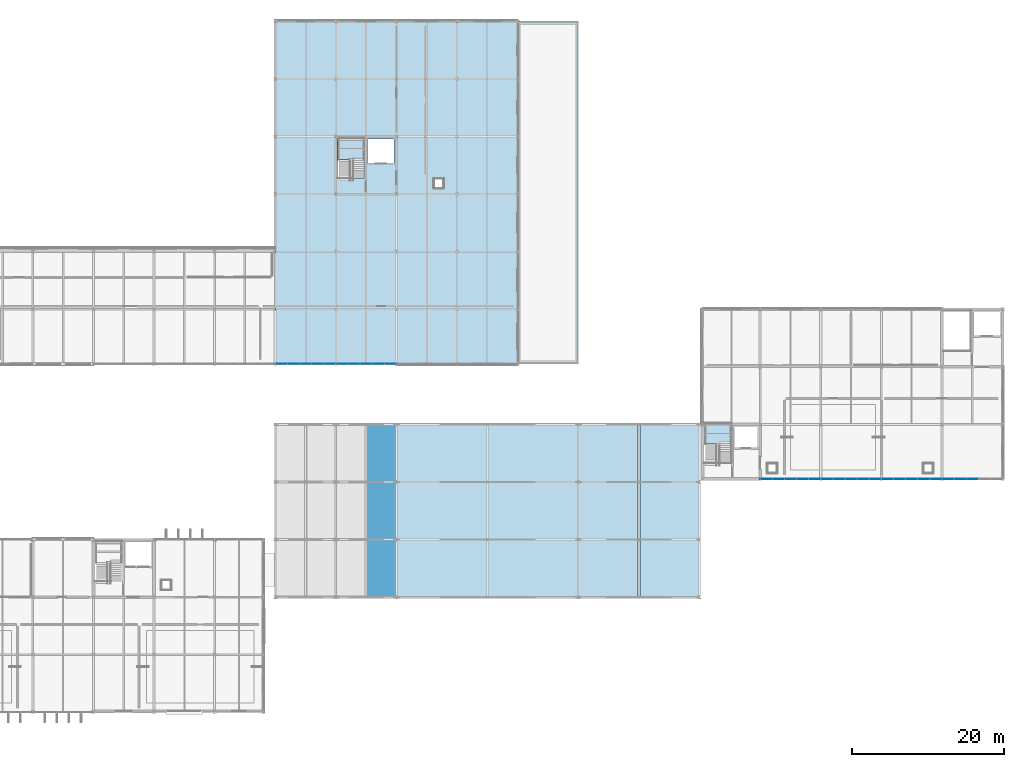
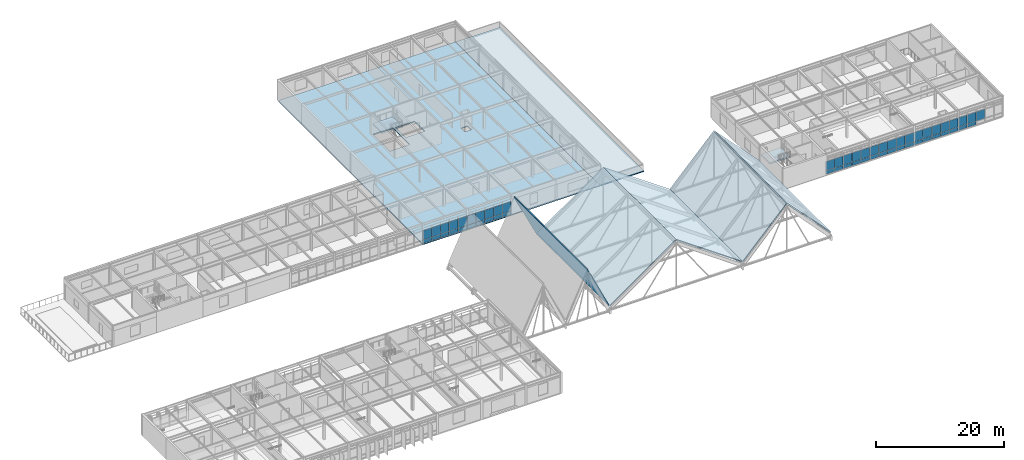
# One storey, part 62 of 85: 55 plates, 9 slabs, 9 elements without a shape of their own.
"""IFC4 building model written with IfcOpenShell, lengths in metres."""

from ifc_helpers import new_model, si_unit, direction, frame, origin, origin_2d, place, context, subcontext, project, spatial, polyline, rectangle, outline, extrude, material, layer, layer_set, type_object, element, aggregate, save


model = new_model("IFC4")

# Units and contexts
model_context = context("Model", 3, precision=1e-05, world=origin(), true_north=direction((0.0, 1.0)))
body_context = subcontext(model_context, "Body", "Model", "MODEL_VIEW")
ifc_project = project(units=[si_unit("LENGTHUNIT", "METRE"), si_unit("AREAUNIT", "SQUARE_METRE"), si_unit("VOLUMEUNIT", "CUBIC_METRE"), si_unit("PLANEANGLEUNIT", "RADIAN"), si_unit("MASSUNIT", "GRAM", prefix="KILO")], contexts=[model_context])

# Site, building, storey
site_placement = place(None, origin())
site = spatial("IfcSite", under=ifc_project, at=site_placement, CompositionType="ELEMENT")
building_placement = place(site_placement, origin())
building = spatial("IfcBuilding", under=site, at=building_placement, Name="Zulena Civic Courthouse", CompositionType="ELEMENT")
storey_placement = place(building_placement, frame((0.0, 0.0, 25.199951171875)))
storey = spatial("IfcBuildingStorey", under=building, at=storey_placement, Name="L05", CompositionType="ELEMENT", Elevation=25.199951171875)

# Curtain wall, plates
ifc_material_1 = material(Name="Double-silver low-E laminated solar-control glass", Category="glass")
curtain_wall_type = type_object("IfcCurtainWallType", Name="CW_7964x3090", PredefinedType="USERDEFINED", material=ifc_material_1)
curtain_wall_1_placement = place(storey_placement, origin())
curtain_wall_1 = element("IfcCurtainWall", 1, at=curtain_wall_1_placement, inside=storey, type_object=curtain_wall_type, Name="cw:V3:L05:3:0", ObjectType="UNITISED CURTAIN WALL", PredefinedType="USERDEFINED")
ifc_material_2 = material(Name="Ceramic-fritted insulated spandrel glass", Category="glass")
ifc_layer_1 = layer(ifc_material_2, 0.0458984375)
ifc_layer_set_1 = layer_set([ifc_layer_1], Name="Ceramic-fritted insulated spandrel glass")
plate_type_1 = type_object("IfcPlateType", Name="CWPanel_Spandrel_46", PredefinedType="CURTAIN_PANEL", material=ifc_layer_set_1)
plate_1_placement = place(storey_placement, frame((158.4072265625, 30.800048828125, 0.070068359375), z_axis=(0.0, 0.0, 1.0), x_axis=(-1.0, 0.0, 0.0)))
plate_1 = element("IfcPlate", 2, at=plate_1_placement, type_object=plate_type_1, Name="cw:V3:L05:3:0:panS:3", PredefinedType="CURTAIN_PANEL", context=body_context, shape_type="SweptSolid", body=[
    extrude(rectangle(XDim=1.54296875, YDim=0.0458984375, at=origin_2d()), origin(), (0.0, 0.0, 1.0), 0.669921875),
])
plate_2_placement = place(storey_placement, frame((156.814453125, 30.800048828125, 0.070068359375), z_axis=(0.0, 0.0, 1.0), x_axis=(-1.0, 0.0, 0.0)))
plate_2 = element("IfcPlate", 3, at=plate_2_placement, type_object=plate_type_1, Name="cw:V3:L05:3:0:panS:4", PredefinedType="CURTAIN_PANEL", context=body_context, shape_type="SweptSolid", body=[
    extrude(rectangle(XDim=1.54296875, YDim=0.0458984375, at=origin_2d()), origin(), (0.0, 0.0, 1.0), 0.669921875),
])

curtain_wall_2_placement = place(storey_placement, origin())
curtain_wall_2 = element("IfcCurtainWall", 4, at=curtain_wall_2_placement, inside=storey, type_object=curtain_wall_type, Name="cw:V3:L05:3:1", ObjectType="UNITISED CURTAIN WALL", PredefinedType="USERDEFINED")
plate_3_placement = place(storey_placement, frame((155.185546875, 30.800048828125, 0.070068359375), z_axis=(0.0, 0.0, 1.0), x_axis=(-1.0, 0.0, 0.0)))
plate_3 = element("IfcPlate", 5, at=plate_3_placement, type_object=plate_type_1, Name="cw:V3:L05:3:1:panS:0", PredefinedType="CURTAIN_PANEL", context=body_context, shape_type="SweptSolid", body=[
    extrude(rectangle(XDim=1.54296875, YDim=0.0458984375, at=origin_2d()), origin(), (0.0, 0.0, 1.0), 0.669921875),
])
plate_4_placement = place(storey_placement, frame((153.5927734375, 30.800048828125, 0.070068359375), z_axis=(0.0, 0.0, 1.0), x_axis=(-1.0, 0.0, 0.0)))
plate_4 = element("IfcPlate", 6, at=plate_4_placement, type_object=plate_type_1, Name="cw:V3:L05:3:1:panS:1", PredefinedType="CURTAIN_PANEL", context=body_context, shape_type="SweptSolid", body=[
    extrude(rectangle(XDim=1.54296875, YDim=0.0458984375, at=origin_2d()), origin(), (0.0, 0.0, 1.0), 0.669921875),
])
plate_5_placement = place(storey_placement, frame((152.0, 30.800048828125, 0.070068359375), z_axis=(0.0, 0.0, 1.0), x_axis=(-1.0, 0.0, 0.0)))
plate_5 = element("IfcPlate", 7, at=plate_5_placement, type_object=plate_type_1, Name="cw:V3:L05:3:1:panS:2", PredefinedType="CURTAIN_PANEL", context=body_context, shape_type="SweptSolid", body=[
    extrude(rectangle(XDim=1.54296875, YDim=0.0458984375, at=origin_2d()), origin(), (0.0, 0.0, 1.0), 0.669921875),
])
plate_6_placement = place(storey_placement, frame((150.4072265625, 30.800048828125, 0.070068359375), z_axis=(0.0, 0.0, 1.0), x_axis=(-1.0, 0.0, 0.0)))
plate_6 = element("IfcPlate", 8, at=plate_6_placement, type_object=plate_type_1, Name="cw:V3:L05:3:1:panS:3", PredefinedType="CURTAIN_PANEL", context=body_context, shape_type="SweptSolid", body=[
    extrude(rectangle(XDim=1.54296875, YDim=0.0458984375, at=origin_2d()), origin(), (0.0, 0.0, 1.0), 0.669921875),
])
plate_7_placement = place(storey_placement, frame((148.814453125, 30.800048828125, 0.070068359375), z_axis=(0.0, 0.0, 1.0), x_axis=(-1.0, 0.0, 0.0)))
plate_7 = element("IfcPlate", 9, at=plate_7_placement, type_object=plate_type_1, Name="cw:V3:L05:3:1:panS:4", PredefinedType="CURTAIN_PANEL", context=body_context, shape_type="SweptSolid", body=[
    extrude(rectangle(XDim=1.54296875, YDim=0.0458984375, at=origin_2d()), origin(), (0.0, 0.0, 1.0), 0.669921875),
])

curtain_wall_3_placement = place(storey_placement, origin())
curtain_wall_3 = element("IfcCurtainWall", 10, at=curtain_wall_3_placement, inside=storey, type_object=curtain_wall_type, Name="cw:V3:L05:3:2", ObjectType="UNITISED CURTAIN WALL", PredefinedType="USERDEFINED")
plate_8_placement = place(storey_placement, frame((147.185546875, 30.800048828125, 0.070068359375), z_axis=(0.0, 0.0, 1.0), x_axis=(-1.0, 0.0, 0.0)))
plate_8 = element("IfcPlate", 11, at=plate_8_placement, type_object=plate_type_1, Name="cw:V3:L05:3:2:panS:0", PredefinedType="CURTAIN_PANEL", context=body_context, shape_type="SweptSolid", body=[
    extrude(rectangle(XDim=1.54296875, YDim=0.0458984375, at=origin_2d()), origin(), (0.0, 0.0, 1.0), 0.669921875),
])
plate_9_placement = place(storey_placement, frame((145.5927734375, 30.800048828125, 0.070068359375), z_axis=(0.0, 0.0, 1.0), x_axis=(-1.0, 0.0, 0.0)))
plate_9 = element("IfcPlate", 12, at=plate_9_placement, type_object=plate_type_1, Name="cw:V3:L05:3:2:panS:1", PredefinedType="CURTAIN_PANEL", context=body_context, shape_type="SweptSolid", body=[
    extrude(rectangle(XDim=1.54296875, YDim=0.0458984375, at=origin_2d()), origin(), (0.0, 0.0, 1.0), 0.669921875),
])
plate_10_placement = place(storey_placement, frame((144.0, 30.800048828125, 0.070068359375), z_axis=(0.0, 0.0, 1.0), x_axis=(-1.0, 0.0, 0.0)))
plate_10 = element("IfcPlate", 13, at=plate_10_placement, type_object=plate_type_1, Name="cw:V3:L05:3:2:panS:2", PredefinedType="CURTAIN_PANEL", context=body_context, shape_type="SweptSolid", body=[
    extrude(rectangle(XDim=1.54296875, YDim=0.0458984375, at=origin_2d()), origin(), (0.0, 0.0, 1.0), 0.669921875),
])
plate_11_placement = place(storey_placement, frame((142.4072265625, 30.800048828125, 0.070068359375), z_axis=(0.0, 0.0, 1.0), x_axis=(-1.0, 0.0, 0.0)))
plate_11 = element("IfcPlate", 14, at=plate_11_placement, type_object=plate_type_1, Name="cw:V3:L05:3:2:panS:3", PredefinedType="CURTAIN_PANEL", context=body_context, shape_type="SweptSolid", body=[
    extrude(rectangle(XDim=1.54296875, YDim=0.0458984375, at=origin_2d()), origin(), (0.0, 0.0, 1.0), 0.669921875),
])
plate_12_placement = place(storey_placement, frame((140.814453125, 30.800048828125, 0.070068359375), z_axis=(0.0, 0.0, 1.0), x_axis=(-1.0, 0.0, 0.0)))
plate_12 = element("IfcPlate", 15, at=plate_12_placement, type_object=plate_type_1, Name="cw:V3:L05:3:2:panS:4", PredefinedType="CURTAIN_PANEL", context=body_context, shape_type="SweptSolid", body=[
    extrude(rectangle(XDim=1.54296875, YDim=0.0458984375, at=origin_2d()), origin(), (0.0, 0.0, 1.0), 0.669921875),
])

curtain_wall_4_placement = place(storey_placement, origin())
curtain_wall_4 = element("IfcCurtainWall", 16, at=curtain_wall_4_placement, inside=storey, type_object=curtain_wall_type, Name="cw:V3:L05:3:3", ObjectType="UNITISED CURTAIN WALL", PredefinedType="USERDEFINED")
plate_13_placement = place(storey_placement, frame((139.185546875, 30.800048828125, 0.070068359375), z_axis=(0.0, 0.0, 1.0), x_axis=(-1.0, 0.0, 0.0)))
plate_13 = element("IfcPlate", 17, at=plate_13_placement, type_object=plate_type_1, Name="cw:V3:L05:3:3:panS:0", PredefinedType="CURTAIN_PANEL", context=body_context, shape_type="SweptSolid", body=[
    extrude(rectangle(XDim=1.54296875, YDim=0.0458984375, at=origin_2d()), origin(), (0.0, 0.0, 1.0), 0.669921875),
])
plate_14_placement = place(storey_placement, frame((137.5927734375, 30.800048828125, 0.070068359375), z_axis=(0.0, 0.0, 1.0), x_axis=(-1.0, 0.0, 0.0)))
plate_14 = element("IfcPlate", 18, at=plate_14_placement, type_object=plate_type_1, Name="cw:V3:L05:3:3:panS:1", PredefinedType="CURTAIN_PANEL", context=body_context, shape_type="SweptSolid", body=[
    extrude(rectangle(XDim=1.54296875, YDim=0.0458984375, at=origin_2d()), origin(), (0.0, 0.0, 1.0), 0.669921875),
])
plate_15_placement = place(storey_placement, frame((136.0, 30.800048828125, 0.070068359375), z_axis=(0.0, 0.0, 1.0), x_axis=(-1.0, 0.0, 0.0)))
plate_15 = element("IfcPlate", 19, at=plate_15_placement, type_object=plate_type_1, Name="cw:V3:L05:3:3:panS:2", PredefinedType="CURTAIN_PANEL", context=body_context, shape_type="SweptSolid", body=[
    extrude(rectangle(XDim=1.54296875, YDim=0.0458984375, at=origin_2d()), origin(), (0.0, 0.0, 1.0), 0.669921875),
])
plate_16_placement = place(storey_placement, frame((134.4072265625, 30.800048828125, 0.070068359375), z_axis=(0.0, 0.0, 1.0), x_axis=(-1.0, 0.0, 0.0)))
plate_16 = element("IfcPlate", 20, at=plate_16_placement, type_object=plate_type_1, Name="cw:V3:L05:3:3:panS:3", PredefinedType="CURTAIN_PANEL", context=body_context, shape_type="SweptSolid", body=[
    extrude(rectangle(XDim=1.54296875, YDim=0.0458984375, at=origin_2d()), origin(), (0.0, 0.0, 1.0), 0.669921875),
])
plate_17_placement = place(storey_placement, frame((132.814453125, 30.800048828125, 0.070068359375), z_axis=(0.0, 0.0, 1.0), x_axis=(-1.0, 0.0, 0.0)))
plate_17 = element("IfcPlate", 21, at=plate_17_placement, type_object=plate_type_1, Name="cw:V3:L05:3:3:panS:4", PredefinedType="CURTAIN_PANEL", context=body_context, shape_type="SweptSolid", body=[
    extrude(rectangle(XDim=1.54296875, YDim=0.0458984375, at=origin_2d()), origin(), (0.0, 0.0, 1.0), 0.669921875),
])

curtain_wall_5_placement = place(storey_placement, origin())
curtain_wall_5 = element("IfcCurtainWall", 22, at=curtain_wall_5_placement, inside=storey, type_object=curtain_wall_type, Name="cw:V5:L05:5:2", ObjectType="UNITISED CURTAIN WALL", PredefinedType="USERDEFINED")
plate_18_placement = place(storey_placement, frame((83.185546875, 46.0, 0.070068359375), z_axis=(0.0, 0.0, 1.0), x_axis=(-1.0, 0.0, 0.0)))
plate_18 = element("IfcPlate", 23, at=plate_18_placement, type_object=plate_type_1, Name="cw:V5:L05:5:2:panS:0", PredefinedType="CURTAIN_PANEL", context=body_context, shape_type="SweptSolid", body=[
    extrude(rectangle(XDim=1.54296875, YDim=0.0458984375, at=origin_2d()), origin(), (0.0, 0.0, 1.0), 0.669921875),
])
plate_19_placement = place(storey_placement, frame((81.5927734375, 46.0, 0.070068359375), z_axis=(0.0, 0.0, 1.0), x_axis=(-1.0, 0.0, 0.0)))
plate_19 = element("IfcPlate", 24, at=plate_19_placement, type_object=plate_type_1, Name="cw:V5:L05:5:2:panS:1", PredefinedType="CURTAIN_PANEL", context=body_context, shape_type="SweptSolid", body=[
    extrude(rectangle(XDim=1.54296875, YDim=0.0458984375, at=origin_2d()), origin(), (0.0, 0.0, 1.0), 0.669921875),
])
plate_20_placement = place(storey_placement, frame((80.0, 46.0, 0.070068359375), z_axis=(0.0, 0.0, 1.0), x_axis=(-1.0, 0.0, 0.0)))
plate_20 = element("IfcPlate", 25, at=plate_20_placement, type_object=plate_type_1, Name="cw:V5:L05:5:2:panS:2", PredefinedType="CURTAIN_PANEL", context=body_context, shape_type="SweptSolid", body=[
    extrude(rectangle(XDim=1.54296875, YDim=0.0458984375, at=origin_2d()), origin(), (0.0, 0.0, 1.0), 0.669921875),
])
plate_21_placement = place(storey_placement, frame((78.4072265625, 46.0, 0.070068359375), z_axis=(0.0, 0.0, 1.0), x_axis=(-1.0, 0.0, 0.0)))
plate_21 = element("IfcPlate", 26, at=plate_21_placement, type_object=plate_type_1, Name="cw:V5:L05:5:2:panS:3", PredefinedType="CURTAIN_PANEL", context=body_context, shape_type="SweptSolid", body=[
    extrude(rectangle(XDim=1.54296875, YDim=0.0458984375, at=origin_2d()), origin(), (0.0, 0.0, 1.0), 0.669921875),
])
plate_22_placement = place(storey_placement, frame((76.814453125, 46.0, 0.070068359375), z_axis=(0.0, 0.0, 1.0), x_axis=(-1.0, 0.0, 0.0)))
plate_22 = element("IfcPlate", 27, at=plate_22_placement, type_object=plate_type_1, Name="cw:V5:L05:5:2:panS:4", PredefinedType="CURTAIN_PANEL", context=body_context, shape_type="SweptSolid", body=[
    extrude(rectangle(XDim=1.54296875, YDim=0.0458984375, at=origin_2d()), origin(), (0.0, 0.0, 1.0), 0.669921875),
])

curtain_wall_6_placement = place(storey_placement, origin())
curtain_wall_6 = element("IfcCurtainWall", 28, at=curtain_wall_6_placement, inside=storey, type_object=curtain_wall_type, Name="cw:V5:L05:5:3", ObjectType="UNITISED CURTAIN WALL", PredefinedType="USERDEFINED")
plate_23_placement = place(storey_placement, frame((75.185546875, 46.0, 0.070068359375), z_axis=(0.0, 0.0, 1.0), x_axis=(-1.0, 0.0, 0.0)))
plate_23 = element("IfcPlate", 29, at=plate_23_placement, type_object=plate_type_1, Name="cw:V5:L05:5:3:panS:0", PredefinedType="CURTAIN_PANEL", context=body_context, shape_type="SweptSolid", body=[
    extrude(rectangle(XDim=1.54296875, YDim=0.0458984375, at=origin_2d()), origin(), (0.0, 0.0, 1.0), 0.669921875),
])
plate_24_placement = place(storey_placement, frame((73.5927734375, 46.0, 0.070068359375), z_axis=(0.0, 0.0, 1.0), x_axis=(-1.0, 0.0, 0.0)))
plate_24 = element("IfcPlate", 30, at=plate_24_placement, type_object=plate_type_1, Name="cw:V5:L05:5:3:panS:1", PredefinedType="CURTAIN_PANEL", context=body_context, shape_type="SweptSolid", body=[
    extrude(rectangle(XDim=1.54296875, YDim=0.0458984375, at=origin_2d()), origin(), (0.0, 0.0, 1.0), 0.669921875),
])
plate_25_placement = place(storey_placement, frame((72.0, 46.0, 0.070068359375), z_axis=(0.0, 0.0, 1.0), x_axis=(-1.0, 0.0, 0.0)))
plate_25 = element("IfcPlate", 31, at=plate_25_placement, type_object=plate_type_1, Name="cw:V5:L05:5:3:panS:2", PredefinedType="CURTAIN_PANEL", context=body_context, shape_type="SweptSolid", body=[
    extrude(rectangle(XDim=1.54296875, YDim=0.0458984375, at=origin_2d()), origin(), (0.0, 0.0, 1.0), 0.669921875),
])
plate_26_placement = place(storey_placement, frame((70.4072265625, 46.0, 0.070068359375), z_axis=(0.0, 0.0, 1.0), x_axis=(-1.0, 0.0, 0.0)))
plate_26 = element("IfcPlate", 32, at=plate_26_placement, type_object=plate_type_1, Name="cw:V5:L05:5:3:panS:3", PredefinedType="CURTAIN_PANEL", context=body_context, shape_type="SweptSolid", body=[
    extrude(rectangle(XDim=1.54296875, YDim=0.0458984375, at=origin_2d()), origin(), (0.0, 0.0, 1.0), 0.669921875),
])
plate_27_placement = place(storey_placement, frame((68.814453125, 46.0, 0.070068359375), z_axis=(0.0, 0.0, 1.0), x_axis=(-1.0, 0.0, 0.0)))
plate_27 = element("IfcPlate", 33, at=plate_27_placement, type_object=plate_type_1, Name="cw:V5:L05:5:3:panS:4", PredefinedType="CURTAIN_PANEL", context=body_context, shape_type="SweptSolid", body=[
    extrude(rectangle(XDim=1.54296875, YDim=0.0458984375, at=origin_2d()), origin(), (0.0, 0.0, 1.0), 0.669921875),
])

# Plate
ifc_layer_2 = layer(ifc_material_1, 0.035888671875)
ifc_layer_set_2 = layer_set([ifc_layer_2], Name="Double-silver low-E laminated solar-control glass")
plate_type_2 = type_object("IfcPlateType", Name="CWPanel_Vision_36", PredefinedType="CURTAIN_PANEL", material=ifc_layer_set_2)
plate_28_placement = place(storey_placement, frame((160.0, 30.800048828125, 0.760009765625), z_axis=(0.0, 0.0, 1.0), x_axis=(-1.0, 0.0, 0.0)))
plate_28 = element("IfcPlate", 34, at=plate_28_placement, type_object=plate_type_2, Name="cw:V3:L05:3:0:panV:2", PredefinedType="CURTAIN_PANEL", context=body_context, shape_type="SweptSolid", body=[
    extrude(rectangle(XDim=1.54296875, YDim=0.035888671875, at=origin_2d()), origin(), (0.0, 0.0, 1.0), 1.77001953125),
])

plate_29_placement = place(storey_placement, frame((158.4072265625, 30.800048828125, 0.760009765625), z_axis=(0.0, 0.0, 1.0), x_axis=(-1.0, 0.0, 0.0)))
plate_29 = element("IfcPlate", 35, at=plate_29_placement, type_object=plate_type_2, Name="cw:V3:L05:3:0:panV:3", PredefinedType="CURTAIN_PANEL", context=body_context, shape_type="SweptSolid", body=[
    extrude(rectangle(XDim=1.54296875, YDim=0.035888671875, at=origin_2d()), origin(), (0.0, 0.0, 1.0), 1.77001953125),
])

plate_30_placement = place(storey_placement, frame((156.814453125, 30.800048828125, 0.760009765625), z_axis=(0.0, 0.0, 1.0), x_axis=(-1.0, 0.0, 0.0)))
plate_30 = element("IfcPlate", 36, at=plate_30_placement, type_object=plate_type_2, Name="cw:V3:L05:3:0:panV:4", PredefinedType="CURTAIN_PANEL", context=body_context, shape_type="SweptSolid", body=[
    extrude(rectangle(XDim=1.54296875, YDim=0.035888671875, at=origin_2d()), origin(), (0.0, 0.0, 1.0), 1.77001953125),
])

aggregate(curtain_wall_1, [plate_28, plate_29, plate_1, plate_30, plate_2])

plate_31_placement = place(storey_placement, frame((155.185546875, 30.800048828125, 0.760009765625), z_axis=(0.0, 0.0, 1.0), x_axis=(-1.0, 0.0, 0.0)))
plate_31 = element("IfcPlate", 37, at=plate_31_placement, type_object=plate_type_2, Name="cw:V3:L05:3:1:panV:0", PredefinedType="CURTAIN_PANEL", context=body_context, shape_type="SweptSolid", body=[
    extrude(rectangle(XDim=1.54296875, YDim=0.035888671875, at=origin_2d()), origin(), (0.0, 0.0, 1.0), 1.77001953125),
])

plate_32_placement = place(storey_placement, frame((153.5927734375, 30.800048828125, 0.760009765625), z_axis=(0.0, 0.0, 1.0), x_axis=(-1.0, 0.0, 0.0)))
plate_32 = element("IfcPlate", 38, at=plate_32_placement, type_object=plate_type_2, Name="cw:V3:L05:3:1:panV:1", PredefinedType="CURTAIN_PANEL", context=body_context, shape_type="SweptSolid", body=[
    extrude(rectangle(XDim=1.54296875, YDim=0.035888671875, at=origin_2d()), origin(), (0.0, 0.0, 1.0), 1.77001953125),
])

plate_33_placement = place(storey_placement, frame((152.0, 30.800048828125, 0.760009765625), z_axis=(0.0, 0.0, 1.0), x_axis=(-1.0, 0.0, 0.0)))
plate_33 = element("IfcPlate", 39, at=plate_33_placement, type_object=plate_type_2, Name="cw:V3:L05:3:1:panV:2", PredefinedType="CURTAIN_PANEL", context=body_context, shape_type="SweptSolid", body=[
    extrude(rectangle(XDim=1.54296875, YDim=0.035888671875, at=origin_2d()), origin(), (0.0, 0.0, 1.0), 1.77001953125),
])

plate_34_placement = place(storey_placement, frame((150.4072265625, 30.800048828125, 0.760009765625), z_axis=(0.0, 0.0, 1.0), x_axis=(-1.0, 0.0, 0.0)))
plate_34 = element("IfcPlate", 40, at=plate_34_placement, type_object=plate_type_2, Name="cw:V3:L05:3:1:panV:3", PredefinedType="CURTAIN_PANEL", context=body_context, shape_type="SweptSolid", body=[
    extrude(rectangle(XDim=1.54296875, YDim=0.035888671875, at=origin_2d()), origin(), (0.0, 0.0, 1.0), 1.77001953125),
])

plate_35_placement = place(storey_placement, frame((148.814453125, 30.800048828125, 0.760009765625), z_axis=(0.0, 0.0, 1.0), x_axis=(-1.0, 0.0, 0.0)))
plate_35 = element("IfcPlate", 41, at=plate_35_placement, type_object=plate_type_2, Name="cw:V3:L05:3:1:panV:4", PredefinedType="CURTAIN_PANEL", context=body_context, shape_type="SweptSolid", body=[
    extrude(rectangle(XDim=1.54296875, YDim=0.035888671875, at=origin_2d()), origin(), (0.0, 0.0, 1.0), 1.77001953125),
])

aggregate(curtain_wall_2, [plate_31, plate_3, plate_32, plate_4, plate_33, plate_5, plate_34, plate_6, plate_35, plate_7])

plate_36_placement = place(storey_placement, frame((147.185546875, 30.800048828125, 0.760009765625), z_axis=(0.0, 0.0, 1.0), x_axis=(-1.0, 0.0, 0.0)))
plate_36 = element("IfcPlate", 42, at=plate_36_placement, type_object=plate_type_2, Name="cw:V3:L05:3:2:panV:0", PredefinedType="CURTAIN_PANEL", context=body_context, shape_type="SweptSolid", body=[
    extrude(rectangle(XDim=1.54296875, YDim=0.035888671875, at=origin_2d()), origin(), (0.0, 0.0, 1.0), 1.77001953125),
])

plate_37_placement = place(storey_placement, frame((145.5927734375, 30.800048828125, 0.760009765625), z_axis=(0.0, 0.0, 1.0), x_axis=(-1.0, 0.0, 0.0)))
plate_37 = element("IfcPlate", 43, at=plate_37_placement, type_object=plate_type_2, Name="cw:V3:L05:3:2:panV:1", PredefinedType="CURTAIN_PANEL", context=body_context, shape_type="SweptSolid", body=[
    extrude(rectangle(XDim=1.54296875, YDim=0.035888671875, at=origin_2d()), origin(), (0.0, 0.0, 1.0), 1.77001953125),
])

plate_38_placement = place(storey_placement, frame((144.0, 30.800048828125, 0.760009765625), z_axis=(0.0, 0.0, 1.0), x_axis=(-1.0, 0.0, 0.0)))
plate_38 = element("IfcPlate", 44, at=plate_38_placement, type_object=plate_type_2, Name="cw:V3:L05:3:2:panV:2", PredefinedType="CURTAIN_PANEL", context=body_context, shape_type="SweptSolid", body=[
    extrude(rectangle(XDim=1.54296875, YDim=0.035888671875, at=origin_2d()), origin(), (0.0, 0.0, 1.0), 1.77001953125),
])

plate_39_placement = place(storey_placement, frame((142.4072265625, 30.800048828125, 0.760009765625), z_axis=(0.0, 0.0, 1.0), x_axis=(-1.0, 0.0, 0.0)))
plate_39 = element("IfcPlate", 45, at=plate_39_placement, type_object=plate_type_2, Name="cw:V3:L05:3:2:panV:3", PredefinedType="CURTAIN_PANEL", context=body_context, shape_type="SweptSolid", body=[
    extrude(rectangle(XDim=1.54296875, YDim=0.035888671875, at=origin_2d()), origin(), (0.0, 0.0, 1.0), 1.77001953125),
])

plate_40_placement = place(storey_placement, frame((140.814453125, 30.800048828125, 0.760009765625), z_axis=(0.0, 0.0, 1.0), x_axis=(-1.0, 0.0, 0.0)))
plate_40 = element("IfcPlate", 46, at=plate_40_placement, type_object=plate_type_2, Name="cw:V3:L05:3:2:panV:4", PredefinedType="CURTAIN_PANEL", context=body_context, shape_type="SweptSolid", body=[
    extrude(rectangle(XDim=1.54296875, YDim=0.035888671875, at=origin_2d()), origin(), (0.0, 0.0, 1.0), 1.77001953125),
])

aggregate(curtain_wall_3, [plate_36, plate_8, plate_37, plate_9, plate_38, plate_10, plate_39, plate_11, plate_40, plate_12])

plate_41_placement = place(storey_placement, frame((139.185546875, 30.800048828125, 0.760009765625), z_axis=(0.0, 0.0, 1.0), x_axis=(-1.0, 0.0, 0.0)))
plate_41 = element("IfcPlate", 47, at=plate_41_placement, type_object=plate_type_2, Name="cw:V3:L05:3:3:panV:0", PredefinedType="CURTAIN_PANEL", context=body_context, shape_type="SweptSolid", body=[
    extrude(rectangle(XDim=1.54296875, YDim=0.035888671875, at=origin_2d()), origin(), (0.0, 0.0, 1.0), 1.77001953125),
])

plate_42_placement = place(storey_placement, frame((137.5927734375, 30.800048828125, 0.760009765625), z_axis=(0.0, 0.0, 1.0), x_axis=(-1.0, 0.0, 0.0)))
plate_42 = element("IfcPlate", 48, at=plate_42_placement, type_object=plate_type_2, Name="cw:V3:L05:3:3:panV:1", PredefinedType="CURTAIN_PANEL", context=body_context, shape_type="SweptSolid", body=[
    extrude(rectangle(XDim=1.54296875, YDim=0.035888671875, at=origin_2d()), origin(), (0.0, 0.0, 1.0), 1.77001953125),
])

plate_43_placement = place(storey_placement, frame((136.0, 30.800048828125, 0.760009765625), z_axis=(0.0, 0.0, 1.0), x_axis=(-1.0, 0.0, 0.0)))
plate_43 = element("IfcPlate", 49, at=plate_43_placement, type_object=plate_type_2, Name="cw:V3:L05:3:3:panV:2", PredefinedType="CURTAIN_PANEL", context=body_context, shape_type="SweptSolid", body=[
    extrude(rectangle(XDim=1.54296875, YDim=0.035888671875, at=origin_2d()), origin(), (0.0, 0.0, 1.0), 1.77001953125),
])

plate_44_placement = place(storey_placement, frame((134.4072265625, 30.800048828125, 0.760009765625), z_axis=(0.0, 0.0, 1.0), x_axis=(-1.0, 0.0, 0.0)))
plate_44 = element("IfcPlate", 50, at=plate_44_placement, type_object=plate_type_2, Name="cw:V3:L05:3:3:panV:3", PredefinedType="CURTAIN_PANEL", context=body_context, shape_type="SweptSolid", body=[
    extrude(rectangle(XDim=1.54296875, YDim=0.035888671875, at=origin_2d()), origin(), (0.0, 0.0, 1.0), 1.77001953125),
])

plate_45_placement = place(storey_placement, frame((132.814453125, 30.800048828125, 0.760009765625), z_axis=(0.0, 0.0, 1.0), x_axis=(-1.0, 0.0, 0.0)))
plate_45 = element("IfcPlate", 51, at=plate_45_placement, type_object=plate_type_2, Name="cw:V3:L05:3:3:panV:4", PredefinedType="CURTAIN_PANEL", context=body_context, shape_type="SweptSolid", body=[
    extrude(rectangle(XDim=1.54296875, YDim=0.035888671875, at=origin_2d()), origin(), (0.0, 0.0, 1.0), 1.77001953125),
])

aggregate(curtain_wall_4, [plate_41, plate_13, plate_42, plate_14, plate_43, plate_15, plate_44, plate_16, plate_45, plate_17])

plate_46_placement = place(storey_placement, frame((83.185546875, 46.0, 0.760009765625), z_axis=(0.0, 0.0, 1.0), x_axis=(-1.0, 0.0, 0.0)))
plate_46 = element("IfcPlate", 52, at=plate_46_placement, type_object=plate_type_2, Name="cw:V5:L05:5:2:panV:0", PredefinedType="CURTAIN_PANEL", context=body_context, shape_type="SweptSolid", body=[
    extrude(rectangle(XDim=1.54296875, YDim=0.035888671875, at=origin_2d()), origin(), (0.0, 0.0, 1.0), 1.77001953125),
])

plate_47_placement = place(storey_placement, frame((81.5927734375, 46.0, 0.760009765625), z_axis=(0.0, 0.0, 1.0), x_axis=(-1.0, 0.0, 0.0)))
plate_47 = element("IfcPlate", 53, at=plate_47_placement, type_object=plate_type_2, Name="cw:V5:L05:5:2:panV:1", PredefinedType="CURTAIN_PANEL", context=body_context, shape_type="SweptSolid", body=[
    extrude(rectangle(XDim=1.54296875, YDim=0.035888671875, at=origin_2d()), origin(), (0.0, 0.0, 1.0), 1.77001953125),
])

plate_48_placement = place(storey_placement, frame((80.0, 46.0, 0.760009765625), z_axis=(0.0, 0.0, 1.0), x_axis=(-1.0, 0.0, 0.0)))
plate_48 = element("IfcPlate", 54, at=plate_48_placement, type_object=plate_type_2, Name="cw:V5:L05:5:2:panV:2", PredefinedType="CURTAIN_PANEL", context=body_context, shape_type="SweptSolid", body=[
    extrude(rectangle(XDim=1.54296875, YDim=0.035888671875, at=origin_2d()), origin(), (0.0, 0.0, 1.0), 1.77001953125),
])

plate_49_placement = place(storey_placement, frame((78.4072265625, 46.0, 0.760009765625), z_axis=(0.0, 0.0, 1.0), x_axis=(-1.0, 0.0, 0.0)))
plate_49 = element("IfcPlate", 55, at=plate_49_placement, type_object=plate_type_2, Name="cw:V5:L05:5:2:panV:3", PredefinedType="CURTAIN_PANEL", context=body_context, shape_type="SweptSolid", body=[
    extrude(rectangle(XDim=1.54296875, YDim=0.035888671875, at=origin_2d()), origin(), (0.0, 0.0, 1.0), 1.77001953125),
])

plate_50_placement = place(storey_placement, frame((76.814453125, 46.0, 0.760009765625), z_axis=(0.0, 0.0, 1.0), x_axis=(-1.0, 0.0, 0.0)))
plate_50 = element("IfcPlate", 56, at=plate_50_placement, type_object=plate_type_2, Name="cw:V5:L05:5:2:panV:4", PredefinedType="CURTAIN_PANEL", context=body_context, shape_type="SweptSolid", body=[
    extrude(rectangle(XDim=1.54296875, YDim=0.035888671875, at=origin_2d()), origin(), (0.0, 0.0, 1.0), 1.77001953125),
])

aggregate(curtain_wall_5, [plate_46, plate_18, plate_47, plate_19, plate_48, plate_20, plate_49, plate_21, plate_50, plate_22])

plate_51_placement = place(storey_placement, frame((75.185546875, 46.0, 0.760009765625), z_axis=(0.0, 0.0, 1.0), x_axis=(-1.0, 0.0, 0.0)))
plate_51 = element("IfcPlate", 57, at=plate_51_placement, type_object=plate_type_2, Name="cw:V5:L05:5:3:panV:0", PredefinedType="CURTAIN_PANEL", context=body_context, shape_type="SweptSolid", body=[
    extrude(rectangle(XDim=1.54296875, YDim=0.035888671875, at=origin_2d()), origin(), (0.0, 0.0, 1.0), 1.77001953125),
])

plate_52_placement = place(storey_placement, frame((73.5927734375, 46.0, 0.760009765625), z_axis=(0.0, 0.0, 1.0), x_axis=(-1.0, 0.0, 0.0)))
plate_52 = element("IfcPlate", 58, at=plate_52_placement, type_object=plate_type_2, Name="cw:V5:L05:5:3:panV:1", PredefinedType="CURTAIN_PANEL", context=body_context, shape_type="SweptSolid", body=[
    extrude(rectangle(XDim=1.54296875, YDim=0.035888671875, at=origin_2d()), origin(), (0.0, 0.0, 1.0), 1.77001953125),
])

plate_53_placement = place(storey_placement, frame((72.0, 46.0, 0.760009765625), z_axis=(0.0, 0.0, 1.0), x_axis=(-1.0, 0.0, 0.0)))
plate_53 = element("IfcPlate", 59, at=plate_53_placement, type_object=plate_type_2, Name="cw:V5:L05:5:3:panV:2", PredefinedType="CURTAIN_PANEL", context=body_context, shape_type="SweptSolid", body=[
    extrude(rectangle(XDim=1.54296875, YDim=0.035888671875, at=origin_2d()), origin(), (0.0, 0.0, 1.0), 1.77001953125),
])

plate_54_placement = place(storey_placement, frame((70.4072265625, 46.0, 0.760009765625), z_axis=(0.0, 0.0, 1.0), x_axis=(-1.0, 0.0, 0.0)))
plate_54 = element("IfcPlate", 60, at=plate_54_placement, type_object=plate_type_2, Name="cw:V5:L05:5:3:panV:3", PredefinedType="CURTAIN_PANEL", context=body_context, shape_type="SweptSolid", body=[
    extrude(rectangle(XDim=1.54296875, YDim=0.035888671875, at=origin_2d()), origin(), (0.0, 0.0, 1.0), 1.77001953125),
])

plate_55_placement = place(storey_placement, frame((68.814453125, 46.0, 0.760009765625), z_axis=(0.0, 0.0, 1.0), x_axis=(-1.0, 0.0, 0.0)))
plate_55 = element("IfcPlate", 61, at=plate_55_placement, type_object=plate_type_2, Name="cw:V5:L05:5:3:panV:4", PredefinedType="CURTAIN_PANEL", context=body_context, shape_type="SweptSolid", body=[
    extrude(rectangle(XDim=1.54296875, YDim=0.035888671875, at=origin_2d()), origin(), (0.0, 0.0, 1.0), 1.77001953125),
])

aggregate(curtain_wall_6, [plate_51, plate_23, plate_52, plate_24, plate_53, plate_25, plate_54, plate_26, plate_55, plate_27])

# Roof, slab
ifc_material_3 = material(Name="Insulated standing-seam zinc-aluminium roofing", Category="aluminium")
ifc_layer_3 = layer(ifc_material_3, 0.205078125)
ifc_layer_set_3 = layer_set([ifc_layer_3], Name="Insulated standing-seam zinc-aluminium roofing")
roof_type = type_object("IfcRoofType", Name="FlatRoofAssembly", PredefinedType="FLAT_ROOF", material=ifc_layer_set_3)
roof_placement = place(storey_placement, origin())
roof = element("IfcRoof", 62, at=roof_placement, inside=storey, type_object=roof_type, Name="roof:V5:L05", PredefinedType="FLAT_ROOF")
ifc_material_4 = material(Name="Concrete C35/45", Category="concrete")
ifc_layer_4 = layer(ifc_material_4, 0.205078125)
ifc_layer_set_4 = layer_set([ifc_layer_4], Name="Concrete C35/45")
slab_type_1 = type_object("IfcSlabType", Name="FlatRoofSlab_205", PredefinedType="ROOF", material=ifc_layer_set_4)
slab_1_placement = place(storey_placement, frame((0.0, 0.0, -0.204833984375)))
slab_1 = element("IfcSlab", 63, at=slab_1_placement, type_object=slab_type_1, Name="slab:roof:V5_eaststep:L05", PredefinedType="ROOF", context=body_context, shape_type="SweptSolid", body=[
    extrude(outline(polyline([(100.0, 46.0), (108.0, 46.0), (108.0, 91.199951171875), (100.0, 91.199951171875), (100.0, 46.0)])), origin(), (0.0, 0.0, 1.0), 0.204833984375),
])
aggregate(roof, [slab_1])

# Slabs
ifc_layer_5 = layer(ifc_material_4, 0.205078125)
ifc_layer_set_5 = layer_set([ifc_layer_5], Name="Concrete C35/45")
slab_type_2 = type_object("IfcSlabType", Name="FloorSlab_205", PredefinedType="FLOOR", material=ifc_layer_set_5)
slab_2_placement = place(storey_placement, frame((0.0, 0.0, -0.204833984375)))
element("IfcSlab", 64, at=slab_2_placement, inside=storey, type_object=slab_type_2, Name="slab:V5:L05_2", PredefinedType="FLOOR", context=body_context, shape_type="SweptSolid", body=[
    extrude(outline(polyline([(68.0, 91.199951171875), (100.0, 91.199951171875), (100.0, 46.0), (68.0, 46.0), (68.0, 61.199951171875), (68.0, 91.199951171875)]), holes=[polyline([(79.81005859375, 70.52001953125), (79.81005859375, 75.81005859375), (76.18994140625, 75.81005859375), (76.18994140625, 70.52001953125), (79.81005859375, 70.52001953125)]), polyline([(80.199951171875, 72.5), (83.64990234375, 72.5), (83.64990234375, 75.64990234375), (80.199951171875, 75.64990234375), (80.199951171875, 72.5)]), polyline([(90.199951171875, 70.39990234375), (89.0, 70.39990234375), (89.0, 69.199951171875), (90.199951171875, 69.199951171875), (90.199951171875, 70.39990234375)])]), origin(), (0.0, 0.0, 1.0), 0.204833984375),
])
ifc_layer_6 = layer(ifc_material_4, 0.175048828125)
ifc_layer_set_6 = layer_set([ifc_layer_6], Name="Concrete C35/45")
slab_type_3 = type_object("IfcSlabType", Name="FoldedRoofPlate_175", PredefinedType="ROOF", material=ifc_layer_set_6)
slab_3_placement = place(storey_placement, frame((80.0, 15.199951171875, 9.75), z_axis=(0.902858578607, 0.0, 0.429937654825), x_axis=(0.429937654825, 0.0, -0.902858578607)))
element("IfcSlab", 65, at=slab_3_placement, inside=storey, type_object=slab_type_3, Name="slab:folded:02E", PredefinedType="ROOF", context=body_context, shape_type="SweptSolid", body=[
    extrude(outline(polyline([(0.0, 0.0), (9.303674509812602, 0.0), (9.303674509812602, 22.800048828125), (0.0, 22.800048828125), (0.0, 0.0)])), origin(), (0.0, 0.0, -1.0), 0.175048828125),
])
for number, where, z_axis, x_axis, name in (
    (66, (84.0, 15.199951171875, 1.35009765625), (-0.57345786989, 0.0, 0.819235052632), (0.819235052632, 0.0, 0.57345786989), "slab:folded:03W"),
    (67, (96.0, 15.199951171875, 9.75), (0.57345786989, 0.0, 0.819235052632), (0.819235052632, 0.0, -0.57345786989), "slab:folded:03E"),
):
    element("IfcSlab", number, at=place(storey_placement, frame(where, z_axis=z_axis, x_axis=x_axis)), inside=storey, type_object=slab_type_3, Name=name, PredefinedType="ROOF", context=body_context, shape_type="SweptSolid", body=[
        extrude(outline(polyline([(0.0, 0.0), (14.647810736916856, 0.0), (14.647810736916856, 22.800048828125), (0.0, 22.800048828125), (0.0, 0.0)])), origin(), (0.0, 0.0, -1.0), 0.175048828125),
    ])
for number, where, z_axis, x_axis, name in (
    (68, (108.0, 15.199951171875, 1.35009765625), (-0.724133926887, 0.0, 0.689659376744), (0.689659376744, 0.0, 0.724133926887), "slab:folded:04W"),
    (69, (116.0, 15.199951171875, 9.75), (0.724133926887, 0.0, 0.689659376744), (0.689659376744, 0.0, -0.724133926887), "slab:folded:04E"),
):
    element("IfcSlab", number, at=place(storey_placement, frame(where, z_axis=z_axis, x_axis=x_axis)), inside=storey, type_object=slab_type_3, Name=name, PredefinedType="ROOF", context=body_context, shape_type="SweptSolid", body=[
        extrude(outline(polyline([(0.0, 0.0), (11.599929283600687, 0.0), (11.599929283600687, 22.800048828124996), (0.0, 22.800048828124996), (0.0, 0.0)])), origin(), (0.0, 0.0, -1.0), 0.175048828125),
    ])

# Stair, slab
ifc_material_5 = material(Name="Precast concrete C40/50", Category="concrete")
stair_type = type_object("IfcStairType", Name="HalfTurnStair_4200", PredefinedType="HALF_TURN_STAIR", material=ifc_material_5)
stair_1_placement = place(storey_placement, origin())
stair_1 = element("IfcStair", 70, at=stair_1_placement, inside=storey, type_object=stair_type, Name="stair:K3A:L05", PredefinedType="HALF_TURN_STAIR")
ifc_layer_7 = layer(ifc_material_5, 0.280029296875)
ifc_layer_set_7 = layer_set([ifc_layer_7], Name="Precast concrete C40/50")
slab_type_4 = type_object("IfcSlabType", Name="StairLandingSlab_280", PredefinedType="LANDING", material=ifc_layer_set_7)
slab_4_placement = place(storey_placement, frame((0.0, 0.0, 1.820068359375)))
slab_4 = element("IfcSlab", 71, at=slab_4_placement, type_object=slab_type_4, Name="stair:K3A:L05:LND", PredefinedType="LANDING", context=body_context, shape_type="SweptSolid", body=[
    extrude(outline(polyline([(124.580078125, 35.384521484375), (128.219970703125, 35.384521484375), (128.219970703125, 38.219970703125), (124.580078125, 38.219970703125), (124.580078125, 35.384521484375)])), origin(), (0.0, 0.0, 1.0), 0.280029296875),
])
aggregate(stair_1, [slab_4])

stair_2_placement = place(storey_placement, origin())
stair_2 = element("IfcStair", 72, at=stair_2_placement, inside=storey, type_object=stair_type, Name="stair:K5B:L05", PredefinedType="HALF_TURN_STAIR")
slab_5_placement = place(storey_placement, frame((0.0, 0.0, 1.820068359375)))
slab_5 = element("IfcSlab", 73, at=slab_5_placement, type_object=slab_type_4, Name="stair:K5B:L05:LND", PredefinedType="LANDING", context=body_context, shape_type="SweptSolid", body=[
    extrude(outline(polyline([(76.179931640625, 72.984619140625), (79.820068359375, 72.984619140625), (79.820068359375, 75.820068359375), (76.179931640625, 75.820068359375), (76.179931640625, 72.984619140625)])), origin(), (0.0, 0.0, 1.0), 0.280029296875),
])
aggregate(stair_2, [slab_5])

save(model, "model.ifc")
